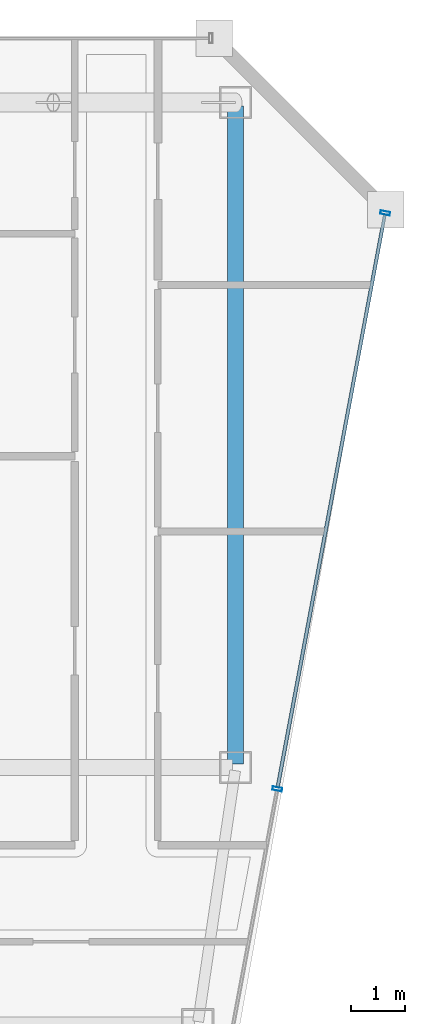
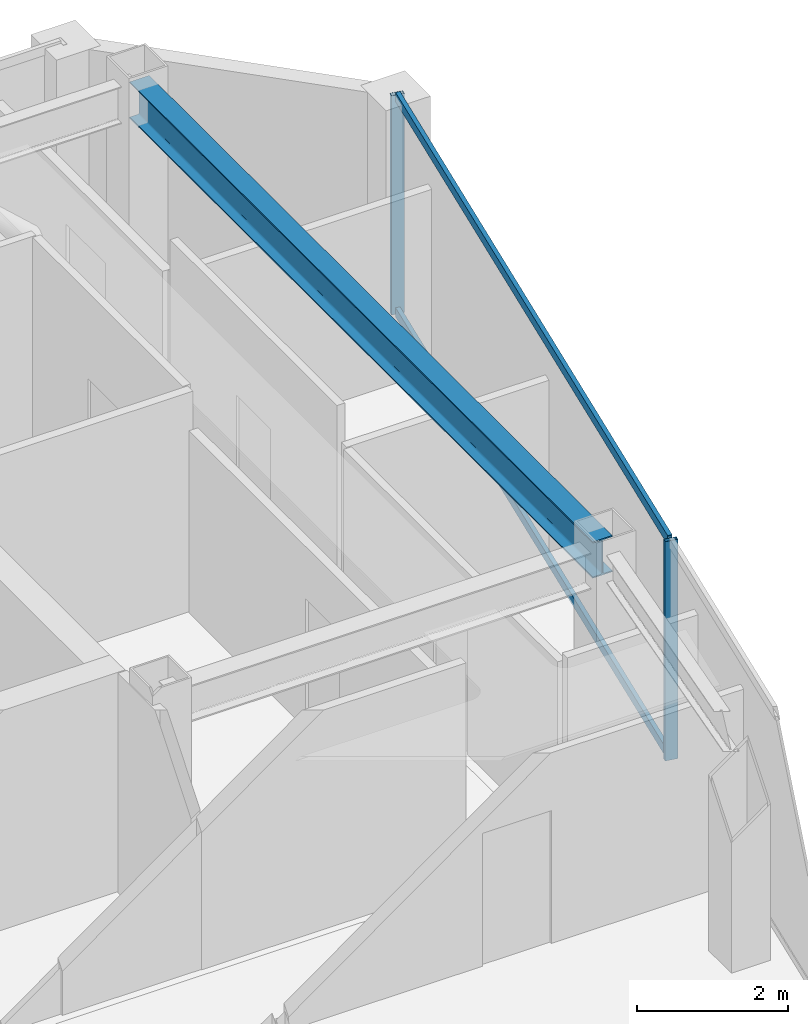
# One storey, part 11 of 25: 4 members, 1 beam, 1 element without a shape of its own.
"""IFC4 building model written with IfcOpenShell, lengths in metres."""

import ifcopenshell
import ifcopenshell.guid

model = None  # the IFC model being written
_history = None  # IfcOwnerHistory: only IFC2X3 demands one
_inside = {}  # id of a spatial element -> (the spatial element, [elements in it])
_under = {}  # id of a project, library or spatial element -> (it, [spatial elements below it])
_declared = {}  # id of a project -> (the project, [libraries it declares])
_typed = {}  # id of a type object -> (the type object, [elements of that type])
_made_of = {}  # id of a material, layer set ... -> (it, [elements and type objects made of it])


def new_model(schema):
    """Start an empty IFC model of exactly this schema.

    Asked for "IFC4X3", IfcOpenShell would pick the latest addendum, in which some entities
    have other attributes; the version numbers below select the first issue.
    IFC2X3 requires an IfcOwnerHistory on every rooted entity: one is made here for all.
    """
    global model, _history
    if schema == "IFC4X3":
        model = ifcopenshell.file(schema_version=(4, 3, 0, 0))
    else:
        model = ifcopenshell.file(schema=schema)
    _inside.clear()
    _under.clear()
    _declared.clear()
    _typed.clear()
    _made_of.clear()
    _history = None
    if model.schema == "IFC2X3":
        org = make("IfcOrganization", Name="unknown")
        user = make(
            "IfcPersonAndOrganization",
            ThePerson=make("IfcPerson", FamilyName="unknown"),
            TheOrganization=org,
        )
        app = make(
            "IfcApplication",
            ApplicationDeveloper=org,
            Version="unknown",
            ApplicationFullName="unknown",
            ApplicationIdentifier="unknown",
        )
        _history = make(
            "IfcOwnerHistory",
            OwningUser=user,
            OwningApplication=app,
            ChangeAction="ADDED",
            CreationDate=0,
        )
    return model


def make(cls, **values):
    """One entity of the class cls with the attributes given. An attribute that is None is left unset."""
    return model.create_entity(
        cls, **{name: value for name, value in values.items() if value is not None}
    )


def rooted(cls, **values):
    """An entity with a GlobalId (a new one), such as an element, a storey or a relation."""
    return make(cls, GlobalId=ifcopenshell.guid.new(), OwnerHistory=_history, **values)


def si_unit(unit_type, name, prefix=None):
    """IfcSIUnit, for example si_unit("LENGTHUNIT", "METRE", prefix="MILLI")."""
    return make("IfcSIUnit", UnitType=unit_type, Prefix=prefix, Name=name)


def assignment(units):
    """IfcUnitAssignment: the units of a project."""
    return None if units is None else make("IfcUnitAssignment", Units=units)


def point(xyz):
    """IfcCartesianPoint."""
    return None if xyz is None else make("IfcCartesianPoint", Coordinates=xyz)


def direction(xyz):
    """IfcDirection."""
    return None if xyz is None else make("IfcDirection", DirectionRatios=xyz)


def frame(location, z_axis=None, x_axis=None):
    """IfcAxis2Placement3D, a coordinate frame: its origin and axes. An axis left out is left unset."""
    return make(
        "IfcAxis2Placement3D",
        Location=point(location),
        Axis=direction(z_axis),
        RefDirection=direction(x_axis),
    )


def frame_2d(location, x_axis=None):
    """IfcAxis2Placement2D, a coordinate frame in the plane: its origin and x axis."""
    return make(
        "IfcAxis2Placement2D", Location=point(location), RefDirection=direction(x_axis)
    )


def origin():
    """The frame at (0, 0, 0) with its axes left unset."""
    return frame((0.0, 0.0, 0.0))


def origin_2d():
    """The frame at (0, 0) in the plane with its x axis left unset."""
    return frame_2d((0.0, 0.0))


def place(relative_to, where):
    """IfcLocalPlacement: puts the frame where relative to a parent placement (None: the world)."""
    return make(
        "IfcLocalPlacement", PlacementRelTo=relative_to, RelativePlacement=where
    )


def context(
    kind, dimensions, precision=None, world=None, true_north=None, identifier=None
):
    """IfcGeometricRepresentationContext, for example the 3D "Model" context."""
    return make(
        "IfcGeometricRepresentationContext",
        ContextIdentifier=identifier,
        ContextType=kind,
        CoordinateSpaceDimension=dimensions,
        Precision=precision,
        WorldCoordinateSystem=world,
        TrueNorth=true_north,
    )


def subcontext(parent, identifier, kind, view, scale=None):
    """IfcGeometricRepresentationSubContext, for example "Body" below "Model"."""
    return make(
        "IfcGeometricRepresentationSubContext",
        ContextIdentifier=identifier,
        ContextType=kind,
        ParentContext=parent,
        TargetScale=scale,
        TargetView=view,
    )


def project(units=None, contexts=None):
    """IfcProject with its units and contexts."""
    return rooted(
        "IfcProject",
        Name="project",
        RepresentationContexts=contexts,
        UnitsInContext=assignment(units),
    )


def spatial(cls, under=None, at=None, **own):
    """A site, building, storey or space (cls), placed at a placement, below another one or the project."""
    s = rooted(cls, ObjectPlacement=at, **own)
    if under is not None:
        _under.setdefault(under.id(), (under, []))[1].append(s)
    return s


def profile(cls, at=None, kind="AREA", **sizes):
    """A parametric profile (cls). Its sizes go by their IFC names, for example OverallWidth=200.0."""
    return make(cls, ProfileType=kind, Position=at, **sizes)


def hollow_rectangle(**sizes):
    """IfcRectangleHollowProfileDef."""
    return profile("IfcRectangleHollowProfileDef", **sizes)


def i_section(**sizes):
    """IfcIShapeProfileDef."""
    return profile("IfcIShapeProfileDef", **sizes)


def extrude(swept, where, along, depth):
    """IfcExtrudedAreaSolid: the profile swept, set in the frame where, extruded along a direction by depth."""
    return make(
        "IfcExtrudedAreaSolid",
        SweptArea=swept,
        Position=where,
        ExtrudedDirection=direction(along),
        Depth=depth,
    )


def shape(context_of_items, identifier, shape_type, items):
    """IfcShapeRepresentation: the items that make up one representation, for example the "Body"."""
    return make(
        "IfcShapeRepresentation",
        ContextOfItems=context_of_items,
        RepresentationIdentifier=identifier,
        RepresentationType=shape_type,
        Items=items,
    )


def material(Name=None, Category=None):
    """IfcMaterial."""
    return make("IfcMaterial", Name=Name, Category=Category)


def material_profile(
    of_material, cross_section, Name=None, Category=None, Priority=None
):
    """IfcMaterialProfile: a cross section and its material."""
    return make(
        "IfcMaterialProfile",
        Name=Name,
        Material=of_material,
        Profile=cross_section,
        Priority=Priority,
        Category=Category,
    )


def profile_set(profiles, Name=None, composite=None):
    """IfcMaterialProfileSet."""
    return make(
        "IfcMaterialProfileSet",
        Name=Name,
        MaterialProfiles=profiles,
        CompositeProfile=composite,
    )


def made_of(thing, what):
    """Note that an element or type object is made of a material, layer set ...; save() writes the relation."""
    if what is not None:
        _made_of.setdefault(what.id(), (what, []))[1].append(thing)
    return thing


def type_object(cls, material=None, **own):
    """A type object (cls), such as IfcWallType, which elements share."""
    return made_of(rooted(cls, **own), material)


def element(
    cls,
    number,
    at=None,
    inside=None,
    cuts=None,
    type_object=None,
    material=None,
    context=None,
    identifier="Body",
    shape_type=None,
    held_by="IfcProductDefinitionShape",
    body=None,
    shapes=None,
    **own,
):
    """One element of the class cls, such as IfcWall. Its Tag is "e" and its number.

    at: its placement. inside: the storey or other place that contains it. cuts: it is an
    opening in that element (IfcRelVoidsElement). A single representation is given by context,
    identifier, shape_type and body (its items); several are given by shapes. held_by: the class
    of the entity that holds the representations. save() writes the other relations.
    """
    e = rooted(cls, Tag="e%d" % number, ObjectPlacement=at, **own)
    if body is not None:
        shapes = [shape(context, identifier, shape_type, body)]
    if shapes is not None:
        e.Representation = make(held_by, Representations=shapes)
    if inside is not None:
        _inside.setdefault(inside.id(), (inside, []))[1].append(e)
    if cuts is not None:
        rooted(
            "IfcRelVoidsElement", RelatingBuildingElement=cuts, RelatedOpeningElement=e
        )
    if type_object is not None:
        _typed.setdefault(type_object.id(), (type_object, []))[1].append(e)
    return made_of(e, material)


def aggregate(whole, parts):
    """IfcRelAggregates: a whole, such as a stair, and the parts it consists of."""
    return rooted("IfcRelAggregates", RelatingObject=whole, RelatedObjects=parts)


def save(model, path):
    """Write the relations noted so far, then the file.

    IfcRelAggregates (storeys below a building ...), IfcRelContainedInSpatialStructure (elements
    in a storey), IfcRelDefinesByType, IfcRelAssociatesMaterial and IfcRelDeclares: one each for
    every whole, place, type object, material and project.
    """
    for whole, parts in _under.values():
        aggregate(whole, parts)
    for where, things in _inside.values():
        rooted(
            "IfcRelContainedInSpatialStructure",
            RelatedElements=things,
            RelatingStructure=where,
        )
    for kind, things in _typed.values():
        rooted("IfcRelDefinesByType", RelatedObjects=things, RelatingType=kind)
    for what, things in _made_of.values():
        rooted("IfcRelAssociatesMaterial", RelatedObjects=things, RelatingMaterial=what)
    for by, libraries in _declared.values():
        rooted("IfcRelDeclares", RelatingContext=by, RelatedDefinitions=libraries)
    model.write(path)


model = new_model("IFC4")

# Units and contexts
model_context = context("Model", 3, precision=1e-05, world=origin(), true_north=direction((0.0, 1.0)))
body_context = subcontext(model_context, "Body", "Model", "MODEL_VIEW")
ifc_project = project(units=[si_unit("LENGTHUNIT", "METRE"), si_unit("AREAUNIT", "SQUARE_METRE"), si_unit("VOLUMEUNIT", "CUBIC_METRE"), si_unit("PLANEANGLEUNIT", "RADIAN"), si_unit("MASSUNIT", "GRAM", prefix="KILO")], contexts=[model_context])

# Site, building, storey
site_placement = place(None, origin())
site = spatial("IfcSite", under=ifc_project, at=site_placement, CompositionType="ELEMENT")
building_placement = place(site_placement, origin())
building = spatial("IfcBuilding", under=site, at=building_placement, Name="Saevonmaru Cultural Tower", CompositionType="ELEMENT")
storey_placement = place(building_placement, frame((0.0, 0.0, 276.199951171875)))
storey = spatial("IfcBuildingStorey", under=building, at=storey_placement, Name="L65", CompositionType="ELEMENT", Elevation=276.199951171875)

# Beam
ifc_material_1 = material(Name="Steel SM355", Category="steel")
ifc_material_profile_1 = material_profile(ifc_material_1, i_section(OverallWidth=0.300048828125, OverallDepth=0.587890625, WebThickness=0.011962890625, FlangeThickness=0.02001953125, FilletRadius=0.02392578125, at=origin_2d()), Name="H-588x300x12x20")
ifc_profile_set_1 = profile_set([ifc_material_profile_1], Name="Steel SM355")
beam_type = type_object("IfcBeamType", Name="BM-G-H588", PredefinedType="BEAM", material=ifc_profile_set_1)
beam_placement = place(storey_placement, frame((53.199951171875, 54.739990234375, 3.256103515625), z_axis=(0.0, -1.0, 0.0), x_axis=(1.0, 0.0, 0.0)))
element("IfcBeam", 1, at=beam_placement, inside=storey, type_object=beam_type, Name="L65 Spine Transverse Girder E", PredefinedType="BEAM", context=body_context, shape_type="SweptSolid", body=[
    extrude(i_section(OverallWidth=0.300048828125, OverallDepth=0.587890625, WebThickness=0.011962890625, FlangeThickness=0.02001953125, FilletRadius=0.02392578125, at=origin_2d()), origin(), (0.0, 0.0, 1.0), 12.280029296875),
])

# Curtain wall, members
ifc_material_2 = material(Name="Satin Bronze Anodised Aluminium", Category="aluminium")
curtain_wall_type = type_object("IfcCurtainWallType", Name="CW-TYP-B", PredefinedType="NOTDEFINED", material=ifc_material_2)
curtain_wall_placement = place(storey_placement, origin())
curtain_wall = element("IfcCurtainWall", 2, at=curtain_wall_placement, inside=storey, type_object=curtain_wall_type, Name="L65 Unitised Curtain Wall E8", PredefinedType="NOTDEFINED")
ifc_material_profile_2 = material_profile(ifc_material_2, hollow_rectangle(XDim=0.06494140625, YDim=0.179931640625, WallThickness=0.00390625, at=origin_2d()), Name="ALU-MULL-180x65x4")
ifc_profile_set_2 = profile_set([ifc_material_profile_2], Name="Satin Bronze Anodised Aluminium")
member_type_1 = type_object("IfcMemberType", Name="ML-CW-180x65", PredefinedType="MULLION", material=ifc_profile_set_2)
member_1_placement = place(storey_placement, frame((53.977783203125, 42.0, 0.0), z_axis=(0.0, 0.0, 1.0), x_axis=(0.184046528232, 0.982917532373, 0.0)))
member_1 = element("IfcMember", 3, at=member_1_placement, type_object=member_type_1, Name="CW-TW-L65-E8 mullion 2", PredefinedType="MULLION", context=body_context, shape_type="SweptSolid", body=[
    extrude(hollow_rectangle(XDim=0.06494140625, YDim=0.179931640625, WallThickness=0.00390625, at=origin_2d()), origin(), (0.0, 0.0, 1.0), 3.550048828125),
])
member_2_placement = place(storey_placement, frame((55.989013671875, 52.740966796875, 0.0), z_axis=(0.0, 0.0, 1.0), x_axis=(0.184046528232, 0.982917532373, 0.0)))
member_2 = element("IfcMember", 4, at=member_2_placement, type_object=member_type_1, Name="CW-TW-L65-E8 mullion 3", PredefinedType="MULLION", context=body_context, shape_type="SweptSolid", body=[
    extrude(hollow_rectangle(XDim=0.06494140625, YDim=0.179931640625, WallThickness=0.00390625, at=origin_2d()), origin(), (0.0, 0.0, 1.0), 3.550048828125),
])
ifc_material_profile_3 = material_profile(ifc_material_2, hollow_rectangle(XDim=0.06494140625, YDim=0.14990234375, WallThickness=0.00390625, at=origin_2d()), Name="ALU-TRAN-150x65x4")
ifc_profile_set_3 = profile_set([ifc_material_profile_3], Name="Satin Bronze Anodised Aluminium")
member_type_2 = type_object("IfcMemberType", Name="TR-CW-150x65", PredefinedType="USERDEFINED", material=ifc_profile_set_3)
member_3_placement = place(storey_placement, frame((53.98388671875, 42.031982421875, 0.032470703125), z_axis=(0.184029339557, 0.982920750713, 0.0), x_axis=(-0.982920750713, 0.184029339557, 0.0)))
member_3 = element("IfcMember", 5, at=member_3_placement, type_object=member_type_2, Name="CW-TW-L65-E8 transom 2.1", ObjectType="TRANSOM", PredefinedType="USERDEFINED", context=body_context, shape_type="SweptSolid", body=[
    extrude(hollow_rectangle(XDim=0.06494140625, YDim=0.14990234375, WallThickness=0.00390625, at=origin_2d()), origin(), (0.0, 0.0, 1.0), 10.862548828125),
])
member_4_placement = place(storey_placement, frame((53.98388671875, 42.031982421875, 3.517578125), z_axis=(0.184029339557, 0.982920750713, 0.0), x_axis=(-0.982920750713, 0.184029339557, 0.0)))
member_4 = element("IfcMember", 6, at=member_4_placement, type_object=member_type_2, Name="CW-TW-L65-E8 transom 2.2", ObjectType="TRANSOM", PredefinedType="USERDEFINED", context=body_context, shape_type="SweptSolid", body=[
    extrude(hollow_rectangle(XDim=0.06494140625, YDim=0.14990234375, WallThickness=0.00390625, at=origin_2d()), origin(), (0.0, 0.0, 1.0), 10.862548828125),
])
aggregate(curtain_wall, [member_1, member_2, member_3, member_4])

save(model, "model.ifc")
